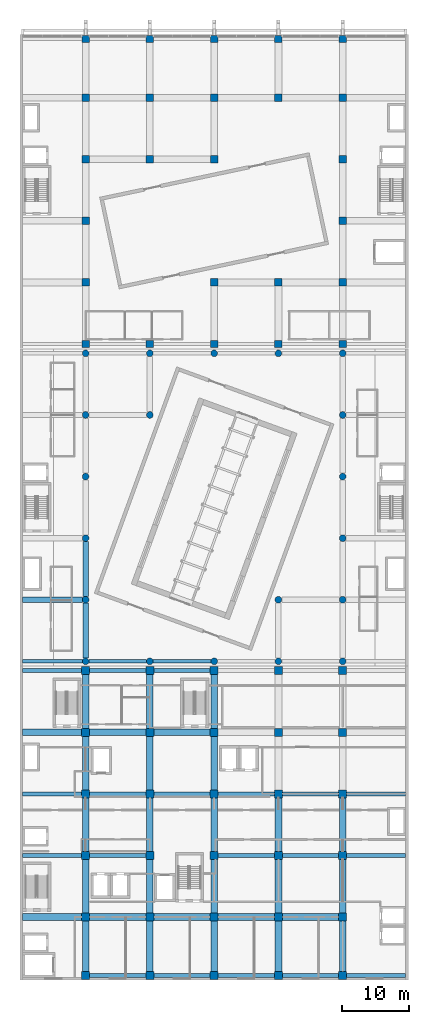
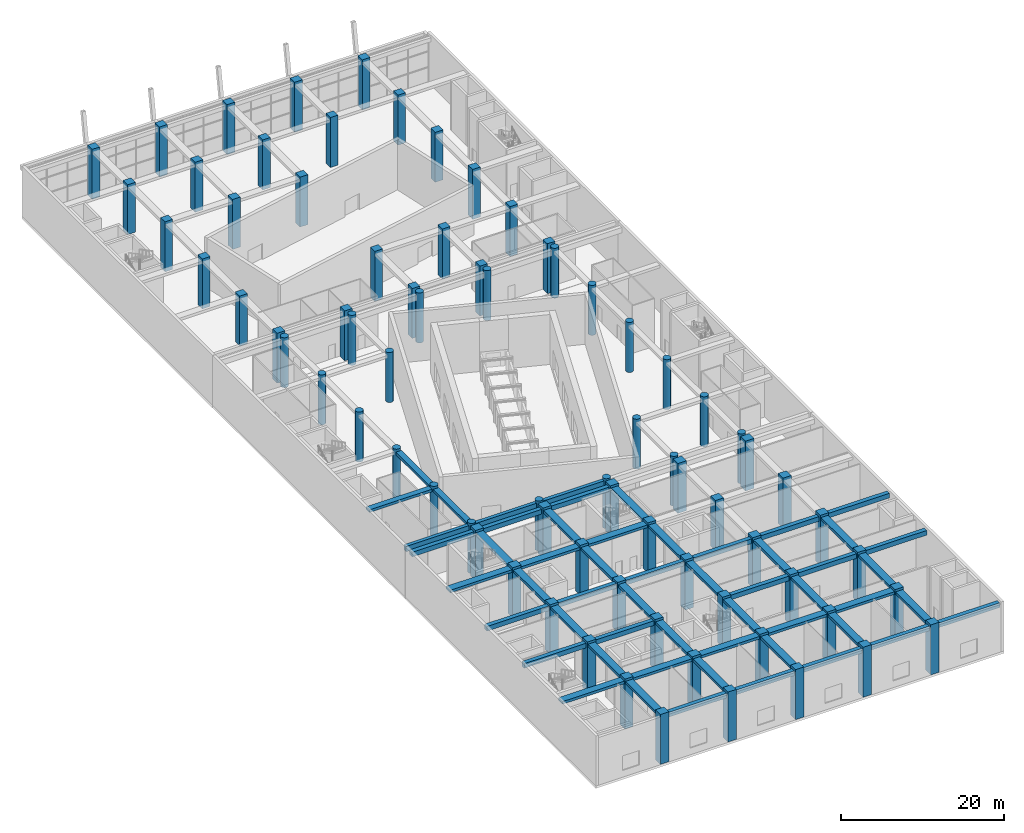
# One storey, part 1 of 36: 75 columns, 54 beams.
"""IFC4 building model written with IfcOpenShell, lengths in metres."""

from ifc_helpers import new_model, si_unit, direction, frame, origin, origin_2d, place, context, subcontext, project, spatial, rectangle, circle, extrude, material, material_profile, profile_set, type_object, element, save


model = new_model("IFC4")

# Units and contexts
model_context = context("Model", 3, precision=1e-05, world=origin(), true_north=direction((0.0, 1.0)))
body_context = subcontext(model_context, "Body", "Model", "MODEL_VIEW")
ifc_project = project(units=[si_unit("LENGTHUNIT", "METRE"), si_unit("AREAUNIT", "SQUARE_METRE"), si_unit("VOLUMEUNIT", "CUBIC_METRE"), si_unit("PLANEANGLEUNIT", "RADIAN"), si_unit("MASSUNIT", "GRAM", prefix="KILO")], contexts=[model_context])

# Site, building, storey
site_placement = place(None, origin())
site = spatial("IfcSite", under=ifc_project, at=site_placement, CompositionType="ELEMENT")
building_placement = place(site_placement, origin())
building = spatial("IfcBuilding", under=site, at=building_placement, Name="Nzadi Deep Aquarium and Research Tower", CompositionType="ELEMENT")
storey_placement = place(building_placement, frame((0.0, 0.0, 14.199951171875)))
storey = spatial("IfcBuildingStorey", under=building, at=storey_placement, Name="L02", CompositionType="ELEMENT", Elevation=14.199951171875)

# Columns
ifc_material_1 = material(Name="Concrete C40/50", Category="concrete")
ifc_material_profile_1 = material_profile(ifc_material_1, rectangle(XDim=1.10009765625, YDim=1.10009765625, at=origin_2d()))
ifc_profile_set_1 = profile_set([ifc_material_profile_1], Name="Concrete C40/50")
column_type_1 = type_object("IfcColumnType", Name="RC 1100x1100", PredefinedType="COLUMN", material=ifc_profile_set_1)
for number, where, z_axis, x_axis, name in (
    (1, (9.60009765625, 94.800048828125, 0.0), (0.0, 0.0, 1.0), (1.0, 0.0, 0.0), "C-Z3-L02-B13"),
    (2, (19.199951171875, 94.800048828125, 0.0), (0.0, 0.0, 1.0), (1.0, 0.0, 0.0), "C-Z3-L02-C13"),
    (3, (28.800048828125, 94.800048828125, 0.0), (0.0, 0.0, 1.0), (1.0, 0.0, 0.0), "C-Z3-L02-D13"),
    (4, (38.39990234375, 94.800048828125, 0.0), (0.0, 0.0, 1.0), (1.0, 0.0, 0.0), "C-Z3-L02-E13"),
    (5, (48.0, 94.800048828125, 0.0), (0.0, 0.0, 1.0), (1.0, 0.0, 0.0), "C-Z3-L02-F13"),
    (6, (9.60009765625, 104.0, 0.0), (0.0, 0.0, 1.0), (1.0, 0.0, 0.0), "C-Z3-L02-B14"),
    (7, (28.800048828125, 104.0, 0.0), (0.0, 0.0, 1.0), (1.0, 0.0, 0.0), "C-Z3-L02-D14"),
    (8, (38.39990234375, 104.0, 0.0), (0.0, 0.0, 1.0), (1.0, 0.0, 0.0), "C-Z3-L02-E14"),
    (9, (48.0, 104.0, 0.0), (0.0, 0.0, 1.0), (1.0, 0.0, 0.0), "C-Z3-L02-F14"),
    (10, (9.60009765625, 113.199951171875, 0.0), (0.0, 0.0, 1.0), (1.0, 0.0, 0.0), "C-Z3-L02-B15"),
    (11, (48.0, 113.199951171875, 0.0), (0.0, 0.0, 1.0), (1.0, 0.0, 0.0), "C-Z3-L02-F15"),
    (12, (9.60009765625, 122.39990234375, 0.0), (0.0, 0.0, 1.0), (1.0, 0.0, 0.0), "C-Z3-L02-B16"),
    (13, (19.199951171875, 122.39990234375, 0.0), (0.0, 0.0, 1.0), (1.0, 0.0, 0.0), "C-Z3-L02-C16"),
    (14, (28.800048828125, 122.39990234375, 0.0), (0.0, 0.0, 1.0), (1.0, 0.0, 0.0), "C-Z3-L02-D16"),
    (15, (48.0, 122.39990234375, 0.0), (0.0, 0.0, 1.0), (1.0, 0.0, 0.0), "C-Z3-L02-F16"),
    (16, (9.60009765625, 131.60009765625, 0.0), (0.0, 0.0, 1.0), (1.0, 0.0, 0.0), "C-Z3-L02-B17"),
    (17, (19.199951171875, 131.60009765625, 0.0), (0.0, 0.0, 1.0), (1.0, 0.0, 0.0), "C-Z3-L02-C17"),
    (18, (28.800048828125, 131.60009765625, 0.0), (0.0, 0.0, 1.0), (1.0, 0.0, 0.0), "C-Z3-L02-D17"),
    (19, (38.39990234375, 131.60009765625, 0.0), (0.0, 0.0, 1.0), (1.0, 0.0, 0.0), "C-Z3-L02-E17"),
    (20, (48.0, 131.60009765625, 0.0), (0.0, 0.0, 1.0), (1.0, 0.0, 0.0), "C-Z3-L02-F17"),
    (21, (9.60009765625, 140.35009765625, 0.0), (0.0, 0.0, 1.0), (1.0, 0.0, 0.0), "C-Z3-L02-B18"),
    (22, (19.199951171875, 140.35009765625, 0.0), (0.0, 0.0, 1.0), (1.0, 0.0, 0.0), "C-Z3-L02-C18"),
    (23, (28.800048828125, 140.35009765625, 0.0), (0.0, 0.0, 1.0), (1.0, 0.0, 0.0), "C-Z3-L02-D18"),
    (24, (38.39990234375, 140.35009765625, 0.0), (0.0, 0.0, 1.0), (1.0, 0.0, 0.0), "C-Z3-L02-E18"),
    (25, (48.0, 140.35009765625, 0.0), (0.0, 0.0, 1.0), (1.0, 0.0, 0.0), "C-Z3-L02-F18"),
):
    element("IfcColumn", number, at=place(storey_placement, frame(where, z_axis=z_axis, x_axis=x_axis)), inside=storey, type_object=column_type_1, Name=name, PredefinedType="COLUMN", context=body_context, shape_type="SweptSolid", body=[
        extrude(rectangle(XDim=1.10009765625, YDim=1.10009765625, at=origin_2d()), origin(), (0.0, 0.0, 1.0), 7.5),
    ])
ifc_material_2 = material(Name="Concrete C40/50", Category="concrete")
ifc_material_profile_2 = material_profile(ifc_material_2, rectangle(XDim=1.199951171875, YDim=1.199951171875, at=origin_2d()))
ifc_profile_set_2 = profile_set([ifc_material_profile_2], Name="Concrete C40/50")
column_type_2 = type_object("IfcColumnType", Name="RC 1200x1200", PredefinedType="COLUMN", material=ifc_profile_set_2)
for number, where, z_axis, x_axis, name in (
    (26, (9.60009765625, 0.449951171875, 0.0), (0.0, 0.0, 1.0), (1.0, 0.0, 0.0), "C-Z1-L02-B1"),
    (27, (19.199951171875, 0.449951171875, 0.0), (0.0, 0.0, 1.0), (1.0, 0.0, 0.0), "C-Z1-L02-C1"),
    (28, (28.800048828125, 0.449951171875, 0.0), (0.0, 0.0, 1.0), (1.0, 0.0, 0.0), "C-Z1-L02-D1"),
    (29, (38.39990234375, 0.449951171875, 0.0), (0.0, 0.0, 1.0), (1.0, 0.0, 0.0), "C-Z1-L02-E1"),
    (30, (48.0, 0.449951171875, 0.0), (0.0, 0.0, 1.0), (1.0, 0.0, 0.0), "C-Z1-L02-F1"),
    (31, (9.60009765625, 9.199951171875, 0.0), (0.0, 0.0, 1.0), (1.0, 0.0, 0.0), "C-Z1-L02-B2"),
    (32, (19.199951171875, 9.199951171875, 0.0), (0.0, 0.0, 1.0), (1.0, 0.0, 0.0), "C-Z1-L02-C2"),
    (33, (28.800048828125, 9.199951171875, 0.0), (0.0, 0.0, 1.0), (1.0, 0.0, 0.0), "C-Z1-L02-D2"),
    (34, (38.39990234375, 9.199951171875, 0.0), (0.0, 0.0, 1.0), (1.0, 0.0, 0.0), "C-Z1-L02-E2"),
    (35, (48.0, 9.199951171875, 0.0), (0.0, 0.0, 1.0), (1.0, 0.0, 0.0), "C-Z1-L02-F2"),
    (36, (9.60009765625, 18.39990234375, 0.0), (0.0, 0.0, 1.0), (1.0, 0.0, 0.0), "C-Z1-L02-B3"),
    (37, (19.199951171875, 18.39990234375, 0.0), (0.0, 0.0, 1.0), (1.0, 0.0, 0.0), "C-Z1-L02-C3"),
    (38, (28.800048828125, 18.39990234375, 0.0), (0.0, 0.0, 1.0), (1.0, 0.0, 0.0), "C-Z1-L02-D3"),
    (39, (38.39990234375, 18.39990234375, 0.0), (0.0, 0.0, 1.0), (1.0, 0.0, 0.0), "C-Z1-L02-E3"),
    (40, (48.0, 18.39990234375, 0.0), (0.0, 0.0, 1.0), (1.0, 0.0, 0.0), "C-Z1-L02-F3"),
    (41, (9.60009765625, 27.60009765625, 0.0), (0.0, 0.0, 1.0), (1.0, 0.0, 0.0), "C-Z1-L02-B4"),
    (42, (19.199951171875, 27.60009765625, 0.0), (0.0, 0.0, 1.0), (1.0, 0.0, 0.0), "C-Z1-L02-C4"),
    (43, (28.800048828125, 27.60009765625, 0.0), (0.0, 0.0, 1.0), (1.0, 0.0, 0.0), "C-Z1-L02-D4"),
    (44, (38.39990234375, 27.60009765625, 0.0), (0.0, 0.0, 1.0), (1.0, 0.0, 0.0), "C-Z1-L02-E4"),
    (45, (48.0, 27.60009765625, 0.0), (0.0, 0.0, 1.0), (1.0, 0.0, 0.0), "C-Z1-L02-F4"),
    (46, (9.60009765625, 36.800048828125, 0.0), (0.0, 0.0, 1.0), (1.0, 0.0, 0.0), "C-Z1-L02-B5"),
    (47, (19.199951171875, 36.800048828125, 0.0), (0.0, 0.0, 1.0), (1.0, 0.0, 0.0), "C-Z1-L02-C5"),
    (48, (28.800048828125, 36.800048828125, 0.0), (0.0, 0.0, 1.0), (1.0, 0.0, 0.0), "C-Z1-L02-D5"),
    (49, (38.39990234375, 36.800048828125, 0.0), (0.0, 0.0, 1.0), (1.0, 0.0, 0.0), "C-Z1-L02-E5"),
    (50, (48.0, 36.800048828125, 0.0), (0.0, 0.0, 1.0), (1.0, 0.0, 0.0), "C-Z1-L02-F5"),
    (51, (9.60009765625, 46.0, 0.0), (0.0, 0.0, 1.0), (1.0, 0.0, 0.0), "C-Z1-L02-B6"),
    (52, (19.199951171875, 46.0, 0.0), (0.0, 0.0, 1.0), (1.0, 0.0, 0.0), "C-Z1-L02-C6"),
    (53, (28.800048828125, 46.0, 0.0), (0.0, 0.0, 1.0), (1.0, 0.0, 0.0), "C-Z1-L02-D6"),
    (54, (38.39990234375, 46.0, 0.0), (0.0, 0.0, 1.0), (1.0, 0.0, 0.0), "C-Z1-L02-E6"),
    (55, (48.0, 46.0, 0.0), (0.0, 0.0, 1.0), (1.0, 0.0, 0.0), "C-Z1-L02-F6"),
):
    element("IfcColumn", number, at=place(storey_placement, frame(where, z_axis=z_axis, x_axis=x_axis)), inside=storey, type_object=column_type_2, Name=name, PredefinedType="COLUMN", context=body_context, shape_type="SweptSolid", body=[
        extrude(rectangle(XDim=1.199951171875, YDim=1.199951171875, at=origin_2d()), origin(), (0.0, 0.0, 1.0), 7.5),
    ])
ifc_material_3 = material(Name="Concrete C40/50", Category="concrete")
ifc_material_profile_3 = material_profile(ifc_material_3, circle(Radius=0.5, at=origin_2d()))
ifc_profile_set_3 = profile_set([ifc_material_profile_3], Name="Concrete C40/50")
column_type_3 = type_object("IfcColumnType", Name="RC D1000", PredefinedType="COLUMN", material=ifc_profile_set_3)
for number, where, z_axis, x_axis, name in (
    (56, (9.60009765625, 47.39990234375, 0.0), (0.0, 0.0, 1.0), (1.0, 0.0, 0.0), "C-Z2-L02-B7"),
    (57, (19.199951171875, 47.39990234375, 0.0), (0.0, 0.0, 1.0), (1.0, 0.0, 0.0), "C-Z2-L02-C7"),
    (58, (28.800048828125, 47.39990234375, 0.0), (0.0, 0.0, 1.0), (1.0, 0.0, 0.0), "C-Z2-L02-D7"),
    (59, (38.39990234375, 47.39990234375, 0.0), (0.0, 0.0, 1.0), (1.0, 0.0, 0.0), "C-Z2-L02-E7"),
    (60, (48.0, 47.39990234375, 0.0), (0.0, 0.0, 1.0), (1.0, 0.0, 0.0), "C-Z2-L02-F7"),
    (61, (9.60009765625, 56.60009765625, 0.0), (0.0, 0.0, 1.0), (1.0, 0.0, 0.0), "C-Z2-L02-B8"),
    (62, (38.39990234375, 56.60009765625, 0.0), (0.0, 0.0, 1.0), (1.0, 0.0, 0.0), "C-Z2-L02-E8"),
    (63, (48.0, 56.60009765625, 0.0), (0.0, 0.0, 1.0), (1.0, 0.0, 0.0), "C-Z2-L02-F8"),
    (64, (9.60009765625, 65.800048828125, 0.0), (0.0, 0.0, 1.0), (1.0, 0.0, 0.0), "C-Z2-L02-B9"),
    (65, (48.0, 65.800048828125, 0.0), (0.0, 0.0, 1.0), (1.0, 0.0, 0.0), "C-Z2-L02-F9"),
    (66, (9.60009765625, 75.0, 0.0), (0.0, 0.0, 1.0), (1.0, 0.0, 0.0), "C-Z2-L02-B10"),
    (67, (48.0, 75.0, 0.0), (0.0, 0.0, 1.0), (1.0, 0.0, 0.0), "C-Z2-L02-F10"),
    (68, (9.60009765625, 84.199951171875, 0.0), (0.0, 0.0, 1.0), (1.0, 0.0, 0.0), "C-Z2-L02-B11"),
    (69, (19.199951171875, 84.199951171875, 0.0), (0.0, 0.0, 1.0), (1.0, 0.0, 0.0), "C-Z2-L02-C11"),
    (70, (48.0, 84.199951171875, 0.0), (0.0, 0.0, 1.0), (1.0, 0.0, 0.0), "C-Z2-L02-F11"),
    (71, (9.60009765625, 93.39990234375, 0.0), (0.0, 0.0, 1.0), (1.0, 0.0, 0.0), "C-Z2-L02-B12"),
    (72, (19.199951171875, 93.39990234375, 0.0), (0.0, 0.0, 1.0), (1.0, 0.0, 0.0), "C-Z2-L02-C12"),
    (73, (28.800048828125, 93.39990234375, 0.0), (0.0, 0.0, 1.0), (1.0, 0.0, 0.0), "C-Z2-L02-D12"),
    (74, (38.39990234375, 93.39990234375, 0.0), (0.0, 0.0, 1.0), (1.0, 0.0, 0.0), "C-Z2-L02-E12"),
    (75, (48.0, 93.39990234375, 0.0), (0.0, 0.0, 1.0), (1.0, 0.0, 0.0), "C-Z2-L02-F12"),
):
    element("IfcColumn", number, at=place(storey_placement, frame(where, z_axis=z_axis, x_axis=x_axis)), inside=storey, type_object=column_type_3, Name=name, PredefinedType="COLUMN", context=body_context, shape_type="SweptSolid", body=[
        extrude(circle(Radius=0.5, at=origin_2d()), origin(), (0.0, 0.0, 1.0), 7.5),
    ])

# Beams
ifc_material_4 = material(Name="Concrete C35/45", Category="concrete")
ifc_material_profile_4 = material_profile(ifc_material_4, rectangle(XDim=1.0, YDim=0.39990234375, at=origin_2d()))
ifc_profile_set_4 = profile_set([ifc_material_profile_4], Name="Concrete C35/45")
beam_type_1 = type_object("IfcBeamType", Name="RC 1000x400", PredefinedType="BEAM", material=ifc_profile_set_4)
beam_1_placement = place(storey_placement, frame((0.199951171875, 9.199951171875, 6.949951171875), z_axis=(1.0, 0.0, 0.0), x_axis=(0.0, 1.0, 0.0)))
element("IfcBeam", 76, at=beam_1_placement, inside=storey, type_object=beam_type_1, Name="B-Z1-L02-L2-1", PredefinedType="BEAM", context=body_context, shape_type="SweptSolid", body=[
    extrude(rectangle(XDim=1.0, YDim=0.39990234375, at=origin_2d()), origin(), (0.0, 0.0, 1.0), 8.800048828125),
])
beam_2_placement = place(storey_placement, frame((10.199951171875, 9.199951171875, 6.949951171875), z_axis=(1.0, 0.0, 0.0), x_axis=(0.0, 1.0, 0.0)))
element("IfcBeam", 77, at=beam_2_placement, inside=storey, type_object=beam_type_1, Name="B-Z1-L02-L2-2", PredefinedType="BEAM", context=body_context, shape_type="SweptSolid", body=[
    extrude(rectangle(XDim=1.0, YDim=0.39990234375, at=origin_2d()), origin(), (0.0, 0.0, 1.0), 8.400146484375),
])
beam_3_placement = place(storey_placement, frame((19.800048828125, 9.199951171875, 6.949951171875), z_axis=(1.0, 0.0, 0.0), x_axis=(0.0, 1.0, 0.0)))
element("IfcBeam", 78, at=beam_3_placement, inside=storey, type_object=beam_type_1, Name="B-Z1-L02-L2-3", PredefinedType="BEAM", context=body_context, shape_type="SweptSolid", body=[
    extrude(rectangle(XDim=1.0, YDim=0.39990234375, at=origin_2d()), origin(), (0.0, 0.0, 1.0), 8.39990234375),
])
beam_4_placement = place(storey_placement, frame((29.39990234375, 9.199951171875, 6.949951171875), z_axis=(1.0, 0.0, 0.0), x_axis=(0.0, 1.0, 0.0)))
element("IfcBeam", 79, at=beam_4_placement, inside=storey, type_object=beam_type_1, Name="B-Z1-L02-L2-4", PredefinedType="BEAM", context=body_context, shape_type="SweptSolid", body=[
    extrude(rectangle(XDim=1.0, YDim=0.39990234375, at=origin_2d()), origin(), (0.0, 0.0, 1.0), 8.400146484375),
])
beam_5_placement = place(storey_placement, frame((39.0, 9.199951171875, 6.949951171875), z_axis=(1.0, 0.0, 0.0), x_axis=(0.0, 1.0, 0.0)))
element("IfcBeam", 80, at=beam_5_placement, inside=storey, type_object=beam_type_1, Name="B-Z1-L02-L2-5", PredefinedType="BEAM", context=body_context, shape_type="SweptSolid", body=[
    extrude(rectangle(XDim=1.0, YDim=0.39990234375, at=origin_2d()), origin(), (0.0, 0.0, 1.0), 8.39990234375),
])
beam_6_placement = place(storey_placement, frame((0.199951171875, 36.800048828125, 6.949951171875), z_axis=(1.0, 0.0, 0.0), x_axis=(0.0, 1.0, 0.0)))
element("IfcBeam", 81, at=beam_6_placement, inside=storey, type_object=beam_type_1, Name="B-Z1-L02-L5-1", PredefinedType="BEAM", context=body_context, shape_type="SweptSolid", body=[
    extrude(rectangle(XDim=1.0, YDim=0.39990234375, at=origin_2d()), origin(), (0.0, 0.0, 1.0), 8.800048828125),
])
beam_7_placement = place(storey_placement, frame((10.199951171875, 36.800048828125, 6.949951171875), z_axis=(1.0, 0.0, 0.0), x_axis=(0.0, 1.0, 0.0)))
element("IfcBeam", 82, at=beam_7_placement, inside=storey, type_object=beam_type_1, Name="B-Z1-L02-L5-2", PredefinedType="BEAM", context=body_context, shape_type="SweptSolid", body=[
    extrude(rectangle(XDim=1.0, YDim=0.39990234375, at=origin_2d()), origin(), (0.0, 0.0, 1.0), 8.400146484375),
])
beam_8_placement = place(storey_placement, frame((19.800048828125, 36.800048828125, 6.949951171875), z_axis=(1.0, 0.0, 0.0), x_axis=(0.0, 1.0, 0.0)))
element("IfcBeam", 83, at=beam_8_placement, inside=storey, type_object=beam_type_1, Name="B-Z1-L02-L5-3", PredefinedType="BEAM", context=body_context, shape_type="SweptSolid", body=[
    extrude(rectangle(XDim=1.0, YDim=0.39990234375, at=origin_2d()), origin(), (0.0, 0.0, 1.0), 8.39990234375),
])
beam_9_placement = place(storey_placement, frame((9.60009765625, 1.050048828125, 6.949951171875), z_axis=(0.0, 1.0, 0.0), x_axis=(-1.0, 0.0, 0.0)))
element("IfcBeam", 84, at=beam_9_placement, inside=storey, type_object=beam_type_1, Name="B-Z1-L02-CB-1-1", PredefinedType="BEAM", context=body_context, shape_type="SweptSolid", body=[
    extrude(rectangle(XDim=1.0, YDim=0.39990234375, at=origin_2d()), origin(), (0.0, 0.0, 1.0), 7.550048828125),
])
for number, where, z_axis, x_axis, name in (
    (85, (9.60009765625, 9.800048828125, 6.949951171875), (0.0, 1.0, 0.0), (-1.0, 0.0, 0.0), "B-Z1-L02-CB-2-1"),
    (86, (9.60009765625, 19.0, 6.949951171875), (0.0, 1.0, 0.0), (-1.0, 0.0, 0.0), "B-Z1-L02-CB-3-1"),
    (87, (9.60009765625, 28.199951171875, 6.949951171875), (0.0, 1.0, 0.0), (-1.0, 0.0, 0.0), "B-Z1-L02-CB-4-1"),
    (88, (9.60009765625, 37.39990234375, 6.949951171875), (0.0, 1.0, 0.0), (-1.0, 0.0, 0.0), "B-Z1-L02-CB-5-1"),
):
    element("IfcBeam", number, at=place(storey_placement, frame(where, z_axis=z_axis, x_axis=x_axis)), inside=storey, type_object=beam_type_1, Name=name, PredefinedType="BEAM", context=body_context, shape_type="SweptSolid", body=[
        extrude(rectangle(XDim=1.0, YDim=0.39990234375, at=origin_2d()), origin(), (0.0, 0.0, 1.0), 8.0),
    ])
beam_10_placement = place(storey_placement, frame((19.199951171875, 1.050048828125, 6.949951171875), z_axis=(0.0, 1.0, 0.0), x_axis=(-1.0, 0.0, 0.0)))
element("IfcBeam", 89, at=beam_10_placement, inside=storey, type_object=beam_type_1, Name="B-Z1-L02-CC-1-1", PredefinedType="BEAM", context=body_context, shape_type="SweptSolid", body=[
    extrude(rectangle(XDim=1.0, YDim=0.39990234375, at=origin_2d()), origin(), (0.0, 0.0, 1.0), 7.550048828125),
])
for number, where, z_axis, x_axis, name in (
    (90, (19.199951171875, 9.800048828125, 6.949951171875), (0.0, 1.0, 0.0), (-1.0, 0.0, 0.0), "B-Z1-L02-CC-2-1"),
    (91, (19.199951171875, 19.0, 6.949951171875), (0.0, 1.0, 0.0), (-1.0, 0.0, 0.0), "B-Z1-L02-CC-3-1"),
    (92, (19.199951171875, 28.199951171875, 6.949951171875), (0.0, 1.0, 0.0), (-1.0, 0.0, 0.0), "B-Z1-L02-CC-4-1"),
    (93, (19.199951171875, 37.39990234375, 6.949951171875), (0.0, 1.0, 0.0), (-1.0, 0.0, 0.0), "B-Z1-L02-CC-5-1"),
):
    element("IfcBeam", number, at=place(storey_placement, frame(where, z_axis=z_axis, x_axis=x_axis)), inside=storey, type_object=beam_type_1, Name=name, PredefinedType="BEAM", context=body_context, shape_type="SweptSolid", body=[
        extrude(rectangle(XDim=1.0, YDim=0.39990234375, at=origin_2d()), origin(), (0.0, 0.0, 1.0), 8.0),
    ])
beam_11_placement = place(storey_placement, frame((28.800048828125, 1.050048828125, 6.949951171875), z_axis=(0.0, 1.0, 0.0), x_axis=(-1.0, 0.0, 0.0)))
element("IfcBeam", 94, at=beam_11_placement, inside=storey, type_object=beam_type_1, Name="B-Z1-L02-CD-1-1", PredefinedType="BEAM", context=body_context, shape_type="SweptSolid", body=[
    extrude(rectangle(XDim=1.0, YDim=0.39990234375, at=origin_2d()), origin(), (0.0, 0.0, 1.0), 7.550048828125),
])
for number, where, z_axis, x_axis, name in (
    (95, (28.800048828125, 9.800048828125, 6.949951171875), (0.0, 1.0, 0.0), (-1.0, 0.0, 0.0), "B-Z1-L02-CD-2-1"),
    (96, (28.800048828125, 19.0, 6.949951171875), (0.0, 1.0, 0.0), (-1.0, 0.0, 0.0), "B-Z1-L02-CD-3-1"),
    (97, (28.800048828125, 28.199951171875, 6.949951171875), (0.0, 1.0, 0.0), (-1.0, 0.0, 0.0), "B-Z1-L02-CD-4-1"),
    (98, (28.800048828125, 37.39990234375, 6.949951171875), (0.0, 1.0, 0.0), (-1.0, 0.0, 0.0), "B-Z1-L02-CD-5-1"),
):
    element("IfcBeam", number, at=place(storey_placement, frame(where, z_axis=z_axis, x_axis=x_axis)), inside=storey, type_object=beam_type_1, Name=name, PredefinedType="BEAM", context=body_context, shape_type="SweptSolid", body=[
        extrude(rectangle(XDim=1.0, YDim=0.39990234375, at=origin_2d()), origin(), (0.0, 0.0, 1.0), 8.0),
    ])
beam_12_placement = place(storey_placement, frame((38.39990234375, 1.050048828125, 6.949951171875), z_axis=(0.0, 1.0, 0.0), x_axis=(-1.0, 0.0, 0.0)))
element("IfcBeam", 99, at=beam_12_placement, inside=storey, type_object=beam_type_1, Name="B-Z1-L02-CE-1-1", PredefinedType="BEAM", context=body_context, shape_type="SweptSolid", body=[
    extrude(rectangle(XDim=1.0, YDim=0.39990234375, at=origin_2d()), origin(), (0.0, 0.0, 1.0), 7.550048828125),
])
for number, where, z_axis, x_axis, name in (
    (100, (38.39990234375, 9.800048828125, 6.949951171875), (0.0, 1.0, 0.0), (-1.0, 0.0, 0.0), "B-Z1-L02-CE-2-1"),
    (101, (38.39990234375, 19.0, 6.949951171875), (0.0, 1.0, 0.0), (-1.0, 0.0, 0.0), "B-Z1-L02-CE-3-1"),
):
    element("IfcBeam", number, at=place(storey_placement, frame(where, z_axis=z_axis, x_axis=x_axis)), inside=storey, type_object=beam_type_1, Name=name, PredefinedType="BEAM", context=body_context, shape_type="SweptSolid", body=[
        extrude(rectangle(XDim=1.0, YDim=0.39990234375, at=origin_2d()), origin(), (0.0, 0.0, 1.0), 8.0),
    ])
beam_13_placement = place(storey_placement, frame((48.0, 1.050048828125, 6.949951171875), z_axis=(0.0, 1.0, 0.0), x_axis=(-1.0, 0.0, 0.0)))
element("IfcBeam", 102, at=beam_13_placement, inside=storey, type_object=beam_type_1, Name="B-Z1-L02-CF-1-1", PredefinedType="BEAM", context=body_context, shape_type="SweptSolid", body=[
    extrude(rectangle(XDim=1.0, YDim=0.39990234375, at=origin_2d()), origin(), (0.0, 0.0, 1.0), 7.550048828125),
])
for number, where, z_axis, x_axis, name in (
    (103, (48.0, 9.800048828125, 6.949951171875), (0.0, 1.0, 0.0), (-1.0, 0.0, 0.0), "B-Z1-L02-CF-2-1"),
    (104, (48.0, 19.0, 6.949951171875), (0.0, 1.0, 0.0), (-1.0, 0.0, 0.0), "B-Z1-L02-CF-3-1"),
):
    element("IfcBeam", number, at=place(storey_placement, frame(where, z_axis=z_axis, x_axis=x_axis)), inside=storey, type_object=beam_type_1, Name=name, PredefinedType="BEAM", context=body_context, shape_type="SweptSolid", body=[
        extrude(rectangle(XDim=1.0, YDim=0.39990234375, at=origin_2d()), origin(), (0.0, 0.0, 1.0), 8.0),
    ])
ifc_material_5 = material(Name="Concrete C40/50", Category="concrete")
ifc_material_profile_5 = material_profile(ifc_material_5, rectangle(XDim=0.5, YDim=0.800048828125, at=origin_2d()))
ifc_profile_set_5 = profile_set([ifc_material_profile_5], Name="Concrete C40/50")
beam_type_2 = type_object("IfcBeamType", Name="RC 500x800", PredefinedType="BEAM", material=ifc_profile_set_5)
beam_14_placement = place(storey_placement, frame((0.199951171875, 47.39990234375, 6.75), z_axis=(1.0, 0.0, 0.0), x_axis=(0.0, 1.0, 0.0)))
element("IfcBeam", 105, at=beam_14_placement, inside=storey, type_object=beam_type_2, Name="B-Z2-L02-L7-1", PredefinedType="BEAM", context=body_context, shape_type="SweptSolid", body=[
    extrude(rectangle(XDim=0.5, YDim=0.800048828125, at=origin_2d()), origin(), (0.0, 0.0, 1.0), 8.900146484375),
])
beam_15_placement = place(storey_placement, frame((10.10009765625, 47.39990234375, 6.75), z_axis=(1.0, 0.0, 0.0), x_axis=(0.0, 1.0, 0.0)))
element("IfcBeam", 106, at=beam_15_placement, inside=storey, type_object=beam_type_2, Name="B-Z2-L02-L7-2", PredefinedType="BEAM", context=body_context, shape_type="SweptSolid", body=[
    extrude(rectangle(XDim=0.5, YDim=0.800048828125, at=origin_2d()), origin(), (0.0, 0.0, 1.0), 8.599853515625),
])
beam_16_placement = place(storey_placement, frame((19.699951171875, 47.39990234375, 6.75), z_axis=(1.0, 0.0, 0.0), x_axis=(0.0, 1.0, 0.0)))
element("IfcBeam", 107, at=beam_16_placement, inside=storey, type_object=beam_type_2, Name="B-Z2-L02-L7-3", PredefinedType="BEAM", context=body_context, shape_type="SweptSolid", body=[
    extrude(rectangle(XDim=0.5, YDim=0.800048828125, at=origin_2d()), origin(), (0.0, 0.0, 1.0), 8.60009765625),
])
ifc_material_6 = material(Name="Concrete C35/45", Category="concrete")
ifc_material_profile_6 = material_profile(ifc_material_6, rectangle(XDim=0.60009765625, YDim=0.699951171875, at=origin_2d()))
ifc_profile_set_6 = profile_set([ifc_material_profile_6], Name="Concrete C35/45")
beam_type_3 = type_object("IfcBeamType", Name="RC 600x700", PredefinedType="BEAM", material=ifc_profile_set_6)
beam_17_placement = place(storey_placement, frame((10.199951171875, 0.449951171875, 6.800048828125), z_axis=(1.0, 0.0, 0.0), x_axis=(0.0, 1.0, 0.0)))
element("IfcBeam", 108, at=beam_17_placement, inside=storey, type_object=beam_type_3, Name="B-Z1-L02-L1-2", PredefinedType="BEAM", context=body_context, shape_type="SweptSolid", body=[
    extrude(rectangle(XDim=0.60009765625, YDim=0.699951171875, at=origin_2d()), origin(), (0.0, 0.0, 1.0), 8.400146484375),
])
beam_18_placement = place(storey_placement, frame((19.800048828125, 0.449951171875, 6.800048828125), z_axis=(1.0, 0.0, 0.0), x_axis=(0.0, 1.0, 0.0)))
element("IfcBeam", 109, at=beam_18_placement, inside=storey, type_object=beam_type_3, Name="B-Z1-L02-L1-3", PredefinedType="BEAM", context=body_context, shape_type="SweptSolid", body=[
    extrude(rectangle(XDim=0.60009765625, YDim=0.699951171875, at=origin_2d()), origin(), (0.0, 0.0, 1.0), 8.39990234375),
])
beam_19_placement = place(storey_placement, frame((29.39990234375, 0.449951171875, 6.800048828125), z_axis=(1.0, 0.0, 0.0), x_axis=(0.0, 1.0, 0.0)))
element("IfcBeam", 110, at=beam_19_placement, inside=storey, type_object=beam_type_3, Name="B-Z1-L02-L1-4", PredefinedType="BEAM", context=body_context, shape_type="SweptSolid", body=[
    extrude(rectangle(XDim=0.60009765625, YDim=0.699951171875, at=origin_2d()), origin(), (0.0, 0.0, 1.0), 8.400146484375),
])
beam_20_placement = place(storey_placement, frame((39.0, 0.449951171875, 6.800048828125), z_axis=(1.0, 0.0, 0.0), x_axis=(0.0, 1.0, 0.0)))
element("IfcBeam", 111, at=beam_20_placement, inside=storey, type_object=beam_type_3, Name="B-Z1-L02-L1-5", PredefinedType="BEAM", context=body_context, shape_type="SweptSolid", body=[
    extrude(rectangle(XDim=0.60009765625, YDim=0.699951171875, at=origin_2d()), origin(), (0.0, 0.0, 1.0), 8.39990234375),
])
beam_21_placement = place(storey_placement, frame((48.60009765625, 0.449951171875, 6.800048828125), z_axis=(1.0, 0.0, 0.0), x_axis=(0.0, 1.0, 0.0)))
element("IfcBeam", 112, at=beam_21_placement, inside=storey, type_object=beam_type_3, Name="B-Z1-L02-L1-6", PredefinedType="BEAM", context=body_context, shape_type="SweptSolid", body=[
    extrude(rectangle(XDim=0.60009765625, YDim=0.699951171875, at=origin_2d()), origin(), (0.0, 0.0, 1.0), 8.7998046875),
])
beam_22_placement = place(storey_placement, frame((0.199951171875, 18.39990234375, 6.800048828125), z_axis=(1.0, 0.0, 0.0), x_axis=(0.0, 1.0, 0.0)))
element("IfcBeam", 113, at=beam_22_placement, inside=storey, type_object=beam_type_3, Name="B-Z1-L02-L3-1", PredefinedType="BEAM", context=body_context, shape_type="SweptSolid", body=[
    extrude(rectangle(XDim=0.60009765625, YDim=0.699951171875, at=origin_2d()), origin(), (0.0, 0.0, 1.0), 8.800048828125),
])
for number, where, z_axis, x_axis, name in (
    (114, (10.199951171875, 18.39990234375, 6.800048828125), (1.0, 0.0, 0.0), (0.0, 1.0, 0.0), "B-Z1-L02-L3-2"),
    (115, (29.39990234375, 18.39990234375, 6.800048828125), (1.0, 0.0, 0.0), (0.0, 1.0, 0.0), "B-Z1-L02-L3-4"),
):
    element("IfcBeam", number, at=place(storey_placement, frame(where, z_axis=z_axis, x_axis=x_axis)), inside=storey, type_object=beam_type_3, Name=name, PredefinedType="BEAM", context=body_context, shape_type="SweptSolid", body=[
        extrude(rectangle(XDim=0.60009765625, YDim=0.699951171875, at=origin_2d()), origin(), (0.0, 0.0, 1.0), 8.400146484375),
    ])
beam_23_placement = place(storey_placement, frame((39.0, 18.39990234375, 6.800048828125), z_axis=(1.0, 0.0, 0.0), x_axis=(0.0, 1.0, 0.0)))
element("IfcBeam", 116, at=beam_23_placement, inside=storey, type_object=beam_type_3, Name="B-Z1-L02-L3-5", PredefinedType="BEAM", context=body_context, shape_type="SweptSolid", body=[
    extrude(rectangle(XDim=0.60009765625, YDim=0.699951171875, at=origin_2d()), origin(), (0.0, 0.0, 1.0), 8.39990234375),
])
beam_24_placement = place(storey_placement, frame((48.60009765625, 18.39990234375, 6.800048828125), z_axis=(1.0, 0.0, 0.0), x_axis=(0.0, 1.0, 0.0)))
element("IfcBeam", 117, at=beam_24_placement, inside=storey, type_object=beam_type_3, Name="B-Z1-L02-L3-6", PredefinedType="BEAM", context=body_context, shape_type="SweptSolid", body=[
    extrude(rectangle(XDim=0.60009765625, YDim=0.699951171875, at=origin_2d()), origin(), (0.0, 0.0, 1.0), 8.7998046875),
])
beam_25_placement = place(storey_placement, frame((0.199951171875, 27.60009765625, 6.800048828125), z_axis=(1.0, 0.0, 0.0), x_axis=(0.0, 1.0, 0.0)))
element("IfcBeam", 118, at=beam_25_placement, inside=storey, type_object=beam_type_3, Name="B-Z1-L02-L4-1", PredefinedType="BEAM", context=body_context, shape_type="SweptSolid", body=[
    extrude(rectangle(XDim=0.60009765625, YDim=0.699951171875, at=origin_2d()), origin(), (0.0, 0.0, 1.0), 8.800048828125),
])
beam_26_placement = place(storey_placement, frame((10.199951171875, 27.60009765625, 6.800048828125), z_axis=(1.0, 0.0, 0.0), x_axis=(0.0, 1.0, 0.0)))
element("IfcBeam", 119, at=beam_26_placement, inside=storey, type_object=beam_type_3, Name="B-Z1-L02-L4-2", PredefinedType="BEAM", context=body_context, shape_type="SweptSolid", body=[
    extrude(rectangle(XDim=0.60009765625, YDim=0.699951171875, at=origin_2d()), origin(), (0.0, 0.0, 1.0), 8.400146484375),
])
beam_27_placement = place(storey_placement, frame((19.800048828125, 27.60009765625, 6.800048828125), z_axis=(1.0, 0.0, 0.0), x_axis=(0.0, 1.0, 0.0)))
element("IfcBeam", 120, at=beam_27_placement, inside=storey, type_object=beam_type_3, Name="B-Z1-L02-L4-3", PredefinedType="BEAM", context=body_context, shape_type="SweptSolid", body=[
    extrude(rectangle(XDim=0.60009765625, YDim=0.699951171875, at=origin_2d()), origin(), (0.0, 0.0, 1.0), 8.39990234375),
])
beam_28_placement = place(storey_placement, frame((29.39990234375, 27.60009765625, 6.800048828125), z_axis=(1.0, 0.0, 0.0), x_axis=(0.0, 1.0, 0.0)))
element("IfcBeam", 121, at=beam_28_placement, inside=storey, type_object=beam_type_3, Name="B-Z1-L02-L4-4", PredefinedType="BEAM", context=body_context, shape_type="SweptSolid", body=[
    extrude(rectangle(XDim=0.60009765625, YDim=0.699951171875, at=origin_2d()), origin(), (0.0, 0.0, 1.0), 8.400146484375),
])
beam_29_placement = place(storey_placement, frame((39.0, 27.60009765625, 6.800048828125), z_axis=(1.0, 0.0, 0.0), x_axis=(0.0, 1.0, 0.0)))
element("IfcBeam", 122, at=beam_29_placement, inside=storey, type_object=beam_type_3, Name="B-Z1-L02-L4-5", PredefinedType="BEAM", context=body_context, shape_type="SweptSolid", body=[
    extrude(rectangle(XDim=0.60009765625, YDim=0.699951171875, at=origin_2d()), origin(), (0.0, 0.0, 1.0), 8.39990234375),
])
beam_30_placement = place(storey_placement, frame((48.60009765625, 27.60009765625, 6.800048828125), z_axis=(1.0, 0.0, 0.0), x_axis=(0.0, 1.0, 0.0)))
element("IfcBeam", 123, at=beam_30_placement, inside=storey, type_object=beam_type_3, Name="B-Z1-L02-L4-6", PredefinedType="BEAM", context=body_context, shape_type="SweptSolid", body=[
    extrude(rectangle(XDim=0.60009765625, YDim=0.699951171875, at=origin_2d()), origin(), (0.0, 0.0, 1.0), 8.7998046875),
])
beam_31_placement = place(storey_placement, frame((0.199951171875, 46.0, 6.800048828125), z_axis=(1.0, 0.0, 0.0), x_axis=(0.0, 1.0, 0.0)))
element("IfcBeam", 124, at=beam_31_placement, inside=storey, type_object=beam_type_3, Name="B-Z1-L02-L6-1", PredefinedType="BEAM", context=body_context, shape_type="SweptSolid", body=[
    extrude(rectangle(XDim=0.60009765625, YDim=0.699951171875, at=origin_2d()), origin(), (0.0, 0.0, 1.0), 8.800048828125),
])
beam_32_placement = place(storey_placement, frame((10.199951171875, 46.0, 6.800048828125), z_axis=(1.0, 0.0, 0.0), x_axis=(0.0, 1.0, 0.0)))
element("IfcBeam", 125, at=beam_32_placement, inside=storey, type_object=beam_type_3, Name="B-Z1-L02-L6-2", PredefinedType="BEAM", context=body_context, shape_type="SweptSolid", body=[
    extrude(rectangle(XDim=0.60009765625, YDim=0.699951171875, at=origin_2d()), origin(), (0.0, 0.0, 1.0), 8.400146484375),
])
beam_33_placement = place(storey_placement, frame((19.800048828125, 46.0, 6.800048828125), z_axis=(1.0, 0.0, 0.0), x_axis=(0.0, 1.0, 0.0)))
element("IfcBeam", 126, at=beam_33_placement, inside=storey, type_object=beam_type_3, Name="B-Z1-L02-L6-3", PredefinedType="BEAM", context=body_context, shape_type="SweptSolid", body=[
    extrude(rectangle(XDim=0.60009765625, YDim=0.699951171875, at=origin_2d()), origin(), (0.0, 0.0, 1.0), 8.39990234375),
])
ifc_material_7 = material(Name="Concrete C35/45", Category="concrete")
ifc_material_profile_7 = material_profile(ifc_material_7, rectangle(XDim=0.800048828125, YDim=0.39990234375, at=origin_2d()))
ifc_profile_set_7 = profile_set([ifc_material_profile_7], Name="Concrete C35/45")
beam_type_4 = type_object("IfcBeamType", Name="RC 800x400", PredefinedType="BEAM", material=ifc_profile_set_7)
beam_34_placement = place(storey_placement, frame((0.199951171875, 56.60009765625, 6.949951171875), z_axis=(1.0, 0.0, 0.0), x_axis=(0.0, 1.0, 0.0)))
element("IfcBeam", 127, at=beam_34_placement, inside=storey, type_object=beam_type_4, Name="B-Z2-L02-L8-1", PredefinedType="BEAM", context=body_context, shape_type="SweptSolid", body=[
    extrude(rectangle(XDim=0.800048828125, YDim=0.39990234375, at=origin_2d()), origin(), (0.0, 0.0, 1.0), 8.900146484375),
])
beam_35_placement = place(storey_placement, frame((9.60009765625, 47.89990234375, 6.949951171875), z_axis=(0.0, 1.0, 0.0), x_axis=(-1.0, 0.0, 0.0)))
element("IfcBeam", 128, at=beam_35_placement, inside=storey, type_object=beam_type_4, Name="B-Z2-L02-CB-1-7", PredefinedType="BEAM", context=body_context, shape_type="SweptSolid", body=[
    extrude(rectangle(XDim=0.800048828125, YDim=0.39990234375, at=origin_2d()), origin(), (0.0, 0.0, 1.0), 8.2001953125),
])
beam_36_placement = place(storey_placement, frame((9.60009765625, 57.10009765625, 6.949951171875), z_axis=(0.0, 1.0, 0.0), x_axis=(-1.0, 0.0, 0.0)))
element("IfcBeam", 129, at=beam_36_placement, inside=storey, type_object=beam_type_4, Name="B-Z2-L02-CB-2-7", PredefinedType="BEAM", context=body_context, shape_type="SweptSolid", body=[
    extrude(rectangle(XDim=0.800048828125, YDim=0.39990234375, at=origin_2d()), origin(), (0.0, 0.0, 1.0), 8.199951171875),
])

save(model, "model.ifc")
